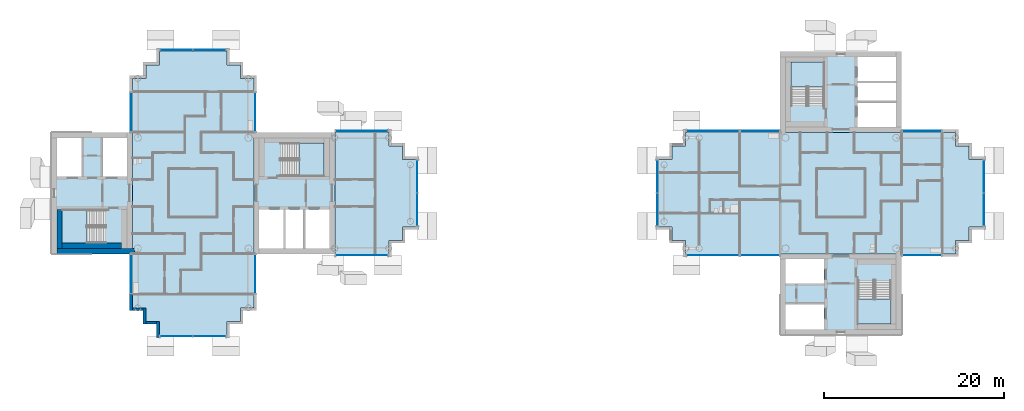
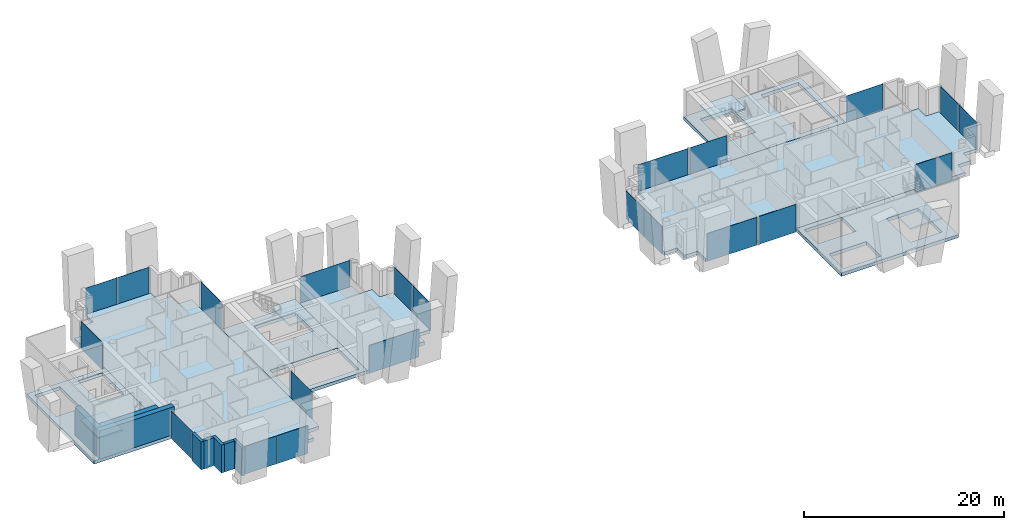
# One storey, part 5 of 18: 22 plates, 11 slabs, 8 walls, 21 elements without a shape of their own.
"""IFC4 building model written with IfcOpenShell, lengths in metres."""

from ifc_helpers import new_model, si_unit, direction, frame, frame_2d, origin, origin_2d, place, context, subcontext, project, spatial, polyline, rectangle, outline, extrude, material, layer, layer_set, type_object, element, aggregate, save


model = new_model("IFC4")

# Units and contexts
model_context = context("Model", 3, precision=1e-05, world=origin(), true_north=direction((0.0, 1.0)))
body_context = subcontext(model_context, "Body", "Model", "MODEL_VIEW")
ifc_project = project(units=[si_unit("LENGTHUNIT", "METRE"), si_unit("AREAUNIT", "SQUARE_METRE"), si_unit("VOLUMEUNIT", "CUBIC_METRE"), si_unit("PLANEANGLEUNIT", "RADIAN"), si_unit("MASSUNIT", "GRAM", prefix="KILO")], contexts=[model_context])

# Site, building, storey
site_placement = place(None, origin())
site = spatial("IfcSite", under=ifc_project, at=site_placement, CompositionType="ELEMENT")
building_placement = place(site_placement, origin())
building = spatial("IfcBuilding", under=site, at=building_placement, Name="Ipe Terrace Towers", CompositionType="ELEMENT")
storey_placement = place(building_placement, frame((0.0, 0.0, 216.39990234375)))
storey = spatial("IfcBuildingStorey", under=building, at=storey_placement, Name="L60", CompositionType="ELEMENT", Elevation=216.39990234375)

# Slabs
ifc_material_1 = material(Name="Concrete C30/37", Category="concrete")
ifc_layer_1 = layer(ifc_material_1, 0.39990234375)
ifc_layer_set_1 = layer_set([ifc_layer_1], Name="CORE FLOOR SLAB 400 C30-37")
slab_type_1 = type_object("IfcSlabType", Name="CORE FLOOR SLAB 400 C30-37", PredefinedType="FLOOR", material=ifc_layer_set_1)
slab_1_placement = place(storey_placement, frame((0.0, 0.0, -0.39990234375)))
element("IfcSlab", 1, at=slab_1_placement, inside=storey, type_object=slab_type_1, Name="Core floor T1-C1", PredefinedType="FLOOR", context=body_context, shape_type="SweptSolid", body=[
    extrude(outline(polyline([(-29.25, -6.75), (-29.25, 6.75), (-20.25, 6.75), (-20.25, -6.75), (-29.25, -6.75)]), holes=[polyline([(-28.64990234375, -6.14990234375), (-20.85009765625, -6.14990234375), (-20.85009765625, -1.85009765625), (-28.64990234375, -1.85009765625), (-28.64990234375, -6.14990234375)]), polyline([(-26.199951171875, 5.550048828125), (-26.199951171875, 1.89990234375), (-21.449951171875, 1.89990234375), (-21.449951171875, 5.550048828125), (-26.199951171875, 5.550048828125)])]), origin(), (0.0, 0.0, 1.0), 0.39990234375),
])
slab_2_placement = place(storey_placement, frame((0.0, 0.0, -0.39990234375)))
element("IfcSlab", 2, at=slab_2_placement, inside=storey, type_object=slab_type_1, Name="Core floor T1-C2", PredefinedType="FLOOR", context=body_context, shape_type="SweptSolid", body=[
    extrude(outline(polyline([(-51.75, -6.75), (-51.75, 6.75), (-42.75, 6.75), (-42.75, -6.75), (-51.75, -6.75)]), holes=[polyline([(-45.800048828125, -1.89990234375), (-50.550048828125, -1.89990234375), (-50.550048828125, -5.550048828125), (-45.800048828125, -5.550048828125), (-45.800048828125, -1.89990234375)]), polyline([(-48.25, 1.85009765625), (-48.25, 6.14990234375), (-51.14990234375, 6.14990234375), (-51.14990234375, 1.85009765625), (-48.25, 1.85009765625)]), polyline([(-43.35009765625, 1.85009765625), (-43.35009765625, 6.14990234375), (-46.14990234375, 6.14990234375), (-46.14990234375, 1.85009765625), (-43.35009765625, 1.85009765625)])]), origin(), (0.0, 0.0, 1.0), 0.39990234375),
])
slab_3_placement = place(storey_placement, frame((0.0, 0.0, -0.39990234375)))
element("IfcSlab", 3, at=slab_3_placement, inside=storey, type_object=slab_type_1, Name="Core floor T2-C1", PredefinedType="FLOOR", context=body_context, shape_type="SweptSolid", body=[
    extrude(outline(polyline([(29.25, 6.75), (29.25, 15.75), (42.75, 15.75), (42.75, 6.75), (29.25, 6.75)]), holes=[polyline([(42.14990234375, 7.35009765625), (42.14990234375, 15.14990234375), (37.85009765625, 15.14990234375), (37.85009765625, 7.35009765625), (42.14990234375, 7.35009765625)]), polyline([(30.449951171875, 9.800048828125), (34.10009765625, 9.800048828125), (34.10009765625, 14.550048828125), (30.449951171875, 14.550048828125), (30.449951171875, 9.800048828125)])]), origin(), (0.0, 0.0, 1.0), 0.39990234375),
])
slab_4_placement = place(storey_placement, frame((0.0, 0.0, -0.39990234375)))
element("IfcSlab", 4, at=slab_4_placement, inside=storey, type_object=slab_type_1, Name="Core floor T2-C2", PredefinedType="FLOOR", context=body_context, shape_type="SweptSolid", body=[
    extrude(outline(polyline([(29.25, -15.75), (29.25, -6.75), (42.75, -6.75), (42.75, -15.75), (29.25, -15.75)]), holes=[polyline([(29.85009765625, -12.25), (29.85009765625, -15.14990234375), (34.14990234375, -15.14990234375), (34.14990234375, -12.25), (29.85009765625, -12.25)]), polyline([(41.550048828125, -9.800048828125), (37.89990234375, -9.800048828125), (37.89990234375, -14.550048828125), (41.550048828125, -14.550048828125), (41.550048828125, -9.800048828125)]), polyline([(34.14990234375, -7.35009765625), (29.85009765625, -7.35009765625), (29.85009765625, -10.14990234375), (34.14990234375, -10.14990234375), (34.14990234375, -7.35009765625)])]), origin(), (0.0, 0.0, 1.0), 0.39990234375),
])

# Stair, slab
ifc_material_2 = material(Name="Concrete C30/37", Category="concrete")
stair_type = type_object("IfcStairType", Name="Protected exit stair", PredefinedType="HALF_TURN_STAIR", material=ifc_material_2)
stair_1_placement = place(storey_placement, origin())
stair_1 = element("IfcStair", 5, at=stair_1_placement, inside=storey, type_object=stair_type, Name="L60 Exit stair T1-C1", PredefinedType="HALF_TURN_STAIR")
ifc_material_3 = material(Name="Concrete C30/37", Category="concrete")
ifc_layer_2 = layer(ifc_material_3, 0.199951171875)
ifc_layer_set_2 = layer_set([ifc_layer_2], Name="Exit stair landing 200")
slab_type_2 = type_object("IfcSlabType", Name="Exit stair landing 200", PredefinedType="LANDING", material=ifc_layer_set_2)
slab_5_placement = place(storey_placement, frame((0.0, 0.0, 1.5)))
slab_5 = element("IfcSlab", 6, at=slab_5_placement, type_object=slab_type_2, Name="T1-ST1 landing 1", PredefinedType="LANDING", context=body_context, shape_type="SweptSolid", body=[
    extrude(outline(polyline([(-24.219970703125, 1.89990234375), (-21.449951171875, 1.89990234375), (-21.449951171875, 5.550048828125), (-24.219970703125, 5.550048828125), (-24.219970703125, 1.89990234375)])), origin(), (0.0, 0.0, 1.0), 0.2001953125),
])
aggregate(stair_1, [slab_5])

stair_2_placement = place(storey_placement, origin())
stair_2 = element("IfcStair", 7, at=stair_2_placement, inside=storey, type_object=stair_type, Name="L60 Exit stair T1-C2", PredefinedType="HALF_TURN_STAIR")
slab_6_placement = place(storey_placement, frame((0.0, 0.0, 1.5)))
slab_6 = element("IfcSlab", 8, at=slab_6_placement, type_object=slab_type_2, Name="T1-ST2 landing 1", PredefinedType="LANDING", context=body_context, shape_type="SweptSolid", body=[
    extrude(outline(polyline([(-47.780029296875, -1.89990234375), (-50.550048828125, -1.89990234375), (-50.550048828125, -5.550048828125), (-47.780029296875, -5.550048828125), (-47.780029296875, -1.89990234375)])), origin(), (0.0, 0.0, 1.0), 0.2001953125),
])
aggregate(stair_2, [slab_6])

stair_3_placement = place(storey_placement, origin())
stair_3 = element("IfcStair", 9, at=stair_3_placement, inside=storey, type_object=stair_type, Name="L60 Exit stair T2-C1", PredefinedType="HALF_TURN_STAIR")
slab_7_placement = place(storey_placement, frame((0.0, 0.0, 1.5)))
slab_7 = element("IfcSlab", 10, at=slab_7_placement, type_object=slab_type_2, Name="T2-ST1 landing 1", PredefinedType="LANDING", context=body_context, shape_type="SweptSolid", body=[
    extrude(outline(polyline([(34.10009765625, 11.780029296875), (34.10009765625, 14.550048828125), (30.449951171875, 14.550048828125), (30.449951171875, 11.780029296875), (34.10009765625, 11.780029296875)])), origin(), (0.0, 0.0, 1.0), 0.2001953125),
])
aggregate(stair_3, [slab_7])

stair_4_placement = place(storey_placement, origin())
stair_4 = element("IfcStair", 11, at=stair_4_placement, inside=storey, type_object=stair_type, Name="L60 Exit stair T2-C2", PredefinedType="HALF_TURN_STAIR")
slab_8_placement = place(storey_placement, frame((0.0, 0.0, 1.5)))
slab_8 = element("IfcSlab", 12, at=slab_8_placement, type_object=slab_type_2, Name="T2-ST2 landing 1", PredefinedType="LANDING", context=body_context, shape_type="SweptSolid", body=[
    extrude(outline(polyline([(37.89990234375, -11.780029296875), (37.89990234375, -14.550048828125), (41.550048828125, -14.550048828125), (41.550048828125, -11.780029296875), (37.89990234375, -11.780029296875)])), origin(), (0.0, 0.0, 1.0), 0.2001953125),
])
aggregate(stair_4, [slab_8])

# Slabs
ifc_material_4 = material(Name="Concrete C40/50", Category="concrete")
ifc_layer_3 = layer(ifc_material_4, 0.39990234375)
ifc_layer_set_3 = layer_set([ifc_layer_3], Name="FLAT PLATE SLAB 400 C40-50")
slab_type_3 = type_object("IfcSlabType", Name="FLAT PLATE SLAB 400 C40-50", PredefinedType="FLOOR", material=ifc_layer_set_3)
slab_9_placement = place(storey_placement, frame((0.0, 0.0, -0.39990234375)))
element("IfcSlab", 13, at=slab_9_placement, inside=storey, type_object=slab_type_3, Name="Slab T1-FS-Z41", PredefinedType="FLOOR", context=body_context, shape_type="SweptSolid", body=[
    extrude(outline(polyline([(-30.75, -12.75), (-30.75, -14.25), (-32.25, -14.25), (-32.25, -15.75), (-39.75, -15.75), (-39.75, -14.25), (-41.25, -14.25), (-41.25, -12.75), (-42.75, -12.75), (-42.75, -6.75), (-42.75, 6.75), (-42.75, 12.75), (-41.25, 12.75), (-41.25, 14.25), (-39.75, 14.25), (-39.75, 15.75), (-32.25, 15.75), (-32.25, 14.25), (-30.75, 14.25), (-30.75, 12.75), (-29.25, 12.75), (-29.25, 6.75), (-29.25, -6.75), (-29.25, -12.75), (-30.75, -12.75)])), origin(), (0.0, 0.0, 1.0), 0.39990234375),
])
slab_10_placement = place(storey_placement, frame((0.0, 0.0, -0.39990234375)))
element("IfcSlab", 14, at=slab_10_placement, inside=storey, type_object=slab_type_3, Name="Slab T1-FS-Z42", PredefinedType="FLOOR", context=body_context, shape_type="SweptSolid", body=[
    extrude(outline(polyline([(-14.25, 5.25), (-12.75, 5.25), (-12.75, 3.75), (-11.25, 3.75), (-11.25, -3.75), (-12.75, -3.75), (-12.75, -5.25), (-14.25, -5.25), (-14.25, -6.75), (-20.25, -6.75), (-20.25, 6.75), (-14.25, 6.75), (-14.25, 5.25)])), origin(), (0.0, 0.0, 1.0), 0.39990234375),
])
slab_11_placement = place(storey_placement, frame((0.0, 0.0, -0.39990234375)))
element("IfcSlab", 15, at=slab_11_placement, inside=storey, type_object=slab_type_3, Name="Slab T2-FS-Z41", PredefinedType="FLOOR", context=body_context, shape_type="SweptSolid", body=[
    extrude(outline(polyline([(48.75, 5.25), (50.25, 5.25), (50.25, 3.75), (51.75, 3.75), (51.75, -3.75), (50.25, -3.75), (50.25, -5.25), (48.75, -5.25), (48.75, -6.75), (42.75, -6.75), (29.25, -6.75), (18.75, -6.75), (18.75, -5.25), (17.25, -5.25), (17.25, -3.75), (15.75, -3.75), (15.75, 3.75), (17.25, 3.75), (17.25, 5.25), (18.75, 5.25), (18.75, 6.75), (29.25, 6.75), (42.75, 6.75), (48.75, 6.75), (48.75, 5.25)])), origin(), (0.0, 0.0, 1.0), 0.39990234375),
])

# Curtain wall, plate
ifc_material_5 = material(Name="Aluminium alloy 6063-T6", Category="aluminium")
ifc_layer_4 = layer(ifc_material_5, 0.320068359375)
ifc_layer_set_4 = layer_set([ifc_layer_4], Name="TOWER UNITISED CURTAIN WALL")
curtain_wall_type = type_object("IfcCurtainWallType", Name="TOWER UNITISED CURTAIN WALL", PredefinedType="NOTDEFINED", material=ifc_layer_set_4)
curtain_wall_1_placement = place(storey_placement, origin())
curtain_wall_1 = element("IfcCurtainWall", 16, at=curtain_wall_1_placement, inside=storey, type_object=curtain_wall_type, Name="T1-CW-L60-02a curtain wall", PredefinedType="NOTDEFINED")
ifc_material_6 = material(Name="Glass, clear laminated", Category="glass")
ifc_layer_5 = layer(ifc_material_6, 0.031982421875)
ifc_layer_set_5 = layer_set([ifc_layer_5], Name="TOWER UNITISED GLASS PANEL 32")
plate_type = type_object("IfcPlateType", Name="TOWER UNITISED GLASS PANEL 32", PredefinedType="CURTAIN_PANEL", material=ifc_layer_set_5)
plate_1_placement = place(storey_placement, frame((-42.909912109375, -9.0, -0.2998046875), z_axis=(0.0, 0.0, 1.0), x_axis=(0.0, -1.0, 0.0)))
plate_1 = element("IfcPlate", 17, at=plate_1_placement, type_object=plate_type, Name="T1-CW-L60-02a panel 1", PredefinedType="CURTAIN_PANEL", context=body_context, shape_type="SweptSolid", body=[
    extrude(rectangle(XDim=4.260009765625, YDim=0.031982421875, at=origin_2d()), origin(), (0.0, 0.0, 1.0), 3.39990234375),
])
aggregate(curtain_wall_1, [plate_1])

# Curtain wall, plates
curtain_wall_2_placement = place(storey_placement, origin())
curtain_wall_2 = element("IfcCurtainWall", 18, at=curtain_wall_2_placement, inside=storey, type_object=curtain_wall_type, Name="T1-CW-L60-08a curtain wall", PredefinedType="NOTDEFINED")
plate_2_placement = place(storey_placement, frame((-37.831298828125, -15.909912109375, -0.2998046875), z_axis=(0.0, 0.0, 1.0), x_axis=(1.0, 0.0, 0.0)))
plate_2 = element("IfcPlate", 19, at=plate_2_placement, type_object=plate_type, Name="T1-CW-L60-08a panel 1", PredefinedType="CURTAIN_PANEL", context=body_context, shape_type="SweptSolid", body=[
    extrude(rectangle(XDim=3.597412109375, YDim=0.031982421875, at=origin_2d()), origin(), (0.0, 0.0, 1.0), 3.39990234375),
])
plate_3_placement = place(storey_placement, frame((-34.168701171875, -15.909912109375, -0.2998046875), z_axis=(0.0, 0.0, 1.0), x_axis=(1.0, 0.0, 0.0)))
plate_3 = element("IfcPlate", 20, at=plate_3_placement, type_object=plate_type, Name="T1-CW-L60-08a panel 2", PredefinedType="CURTAIN_PANEL", context=body_context, shape_type="SweptSolid", body=[
    extrude(rectangle(XDim=3.597412109375, YDim=0.031982421875, at=origin_2d()), origin(), (0.0, 0.0, 1.0), 3.39990234375),
])
aggregate(curtain_wall_2, [plate_2, plate_3])

# Curtain wall, plate
curtain_wall_3_placement = place(storey_placement, origin())
curtain_wall_3 = element("IfcCurtainWall", 21, at=curtain_wall_3_placement, inside=storey, type_object=curtain_wall_type, Name="T1-CW-L60-14a curtain wall", PredefinedType="NOTDEFINED")
plate_4_placement = place(storey_placement, frame((-29.090087890625, -9.0, -0.2998046875), z_axis=(0.0, 0.0, 1.0), x_axis=(0.0, 1.0, 0.0)))
plate_4 = element("IfcPlate", 22, at=plate_4_placement, type_object=plate_type, Name="T1-CW-L60-14a panel 1", PredefinedType="CURTAIN_PANEL", context=body_context, shape_type="SweptSolid", body=[
    extrude(rectangle(XDim=4.260009765625, YDim=0.031982421875, at=origin_2d()), origin(), (0.0, 0.0, 1.0), 3.39990234375),
])
aggregate(curtain_wall_3, [plate_4])

curtain_wall_4_placement = place(storey_placement, origin())
curtain_wall_4 = element("IfcCurtainWall", 23, at=curtain_wall_4_placement, inside=storey, type_object=curtain_wall_type, Name="T1-CW-L60-16b curtain wall", PredefinedType="NOTDEFINED")
plate_5_placement = place(storey_placement, frame((-17.24951171875, -6.909912109375, -0.2998046875), z_axis=(0.0, 0.0, 1.0), x_axis=(1.0, 0.0, 0.0)))
plate_5 = element("IfcPlate", 24, at=plate_5_placement, type_object=plate_type, Name="T1-CW-L60-16b panel 1", PredefinedType="CURTAIN_PANEL", context=body_context, shape_type="SweptSolid", body=[
    extrude(rectangle(XDim=5.759033203125, YDim=0.031982421875, at=origin_2d()), origin(), (0.0, 0.0, 1.0), 3.39990234375),
])
aggregate(curtain_wall_4, [plate_5])

# Curtain wall, plates
curtain_wall_5_placement = place(storey_placement, origin())
curtain_wall_5 = element("IfcCurtainWall", 25, at=curtain_wall_5_placement, inside=storey, type_object=curtain_wall_type, Name="T1-CW-L60-21a curtain wall", PredefinedType="NOTDEFINED")
plate_6_placement = place(storey_placement, frame((-11.090087890625, -1.831298828125, -0.2998046875), z_axis=(0.0, 0.0, 1.0), x_axis=(0.0, 1.0, 0.0)))
plate_6 = element("IfcPlate", 26, at=plate_6_placement, type_object=plate_type, Name="T1-CW-L60-21a panel 1", PredefinedType="CURTAIN_PANEL", context=body_context, shape_type="SweptSolid", body=[
    extrude(rectangle(XDim=3.597412109375, YDim=0.031982421875, at=origin_2d()), origin(), (0.0, 0.0, 1.0), 3.39990234375),
])
plate_7_placement = place(storey_placement, frame((-11.090087890625, 1.831298828125, -0.2998046875), z_axis=(0.0, 0.0, 1.0), x_axis=(0.0, 1.0, 0.0)))
plate_7 = element("IfcPlate", 27, at=plate_7_placement, type_object=plate_type, Name="T1-CW-L60-21a panel 2", PredefinedType="CURTAIN_PANEL", context=body_context, shape_type="SweptSolid", body=[
    extrude(rectangle(XDim=3.597412109375, YDim=0.031982421875, at=origin_2d()), origin(), (0.0, 0.0, 1.0), 3.39990234375),
])
aggregate(curtain_wall_5, [plate_6, plate_7])

# Curtain wall, plate
curtain_wall_6_placement = place(storey_placement, origin())
curtain_wall_6 = element("IfcCurtainWall", 28, at=curtain_wall_6_placement, inside=storey, type_object=curtain_wall_type, Name="T1-CW-L60-26a curtain wall", PredefinedType="NOTDEFINED")
plate_8_placement = place(storey_placement, frame((-17.24951171875, 6.909912109375, -0.2998046875), z_axis=(0.0, 0.0, 1.0), x_axis=(-1.0, 0.0, 0.0)))
plate_8 = element("IfcPlate", 29, at=plate_8_placement, type_object=plate_type, Name="T1-CW-L60-26a panel 1", PredefinedType="CURTAIN_PANEL", context=body_context, shape_type="SweptSolid", body=[
    extrude(rectangle(XDim=5.759033203125, YDim=0.031982421875, at=origin_2d()), origin(), (0.0, 0.0, 1.0), 3.39990234375),
])
aggregate(curtain_wall_6, [plate_8])

curtain_wall_7_placement = place(storey_placement, origin())
curtain_wall_7 = element("IfcCurtainWall", 30, at=curtain_wall_7_placement, inside=storey, type_object=curtain_wall_type, Name="T1-CW-L60-28a curtain wall", PredefinedType="NOTDEFINED")
plate_9_placement = place(storey_placement, frame((-29.090087890625, 9.0, -0.2998046875), z_axis=(0.0, 0.0, 1.0), x_axis=(0.0, 1.0, 0.0)))
plate_9 = element("IfcPlate", 31, at=plate_9_placement, type_object=plate_type, Name="T1-CW-L60-28a panel 1", PredefinedType="CURTAIN_PANEL", context=body_context, shape_type="SweptSolid", body=[
    extrude(rectangle(XDim=4.260009765625, YDim=0.031982421875, at=origin_2d()), origin(), (0.0, 0.0, 1.0), 3.39990234375),
])
aggregate(curtain_wall_7, [plate_9])

# Curtain wall, plates
curtain_wall_8_placement = place(storey_placement, origin())
curtain_wall_8 = element("IfcCurtainWall", 32, at=curtain_wall_8_placement, inside=storey, type_object=curtain_wall_type, Name="T1-CW-L60-34a curtain wall", PredefinedType="NOTDEFINED")
plate_10_placement = place(storey_placement, frame((-34.168701171875, 15.909912109375, -0.2998046875), z_axis=(0.0, 0.0, 1.0), x_axis=(-1.0, 0.0, 0.0)))
plate_10 = element("IfcPlate", 33, at=plate_10_placement, type_object=plate_type, Name="T1-CW-L60-34a panel 1", PredefinedType="CURTAIN_PANEL", context=body_context, shape_type="SweptSolid", body=[
    extrude(rectangle(XDim=3.597412109375, YDim=0.031982421875, at=origin_2d()), origin(), (0.0, 0.0, 1.0), 3.39990234375),
])
plate_11_placement = place(storey_placement, frame((-37.831298828125, 15.909912109375, -0.2998046875), z_axis=(0.0, 0.0, 1.0), x_axis=(-1.0, 0.0, 0.0)))
plate_11 = element("IfcPlate", 34, at=plate_11_placement, type_object=plate_type, Name="T1-CW-L60-34a panel 2", PredefinedType="CURTAIN_PANEL", context=body_context, shape_type="SweptSolid", body=[
    extrude(rectangle(XDim=3.597412109375, YDim=0.031982421875, at=origin_2d()), origin(), (0.0, 0.0, 1.0), 3.39990234375),
])
aggregate(curtain_wall_8, [plate_10, plate_11])

# Curtain wall, plate
curtain_wall_9_placement = place(storey_placement, origin())
curtain_wall_9 = element("IfcCurtainWall", 35, at=curtain_wall_9_placement, inside=storey, type_object=curtain_wall_type, Name="T1-CW-L60-40a curtain wall", PredefinedType="NOTDEFINED")
plate_12_placement = place(storey_placement, frame((-42.909912109375, 9.0, -0.2998046875), z_axis=(0.0, 0.0, 1.0), x_axis=(0.0, -1.0, 0.0)))
plate_12 = element("IfcPlate", 36, at=plate_12_placement, type_object=plate_type, Name="T1-CW-L60-40a panel 1", PredefinedType="CURTAIN_PANEL", context=body_context, shape_type="SweptSolid", body=[
    extrude(rectangle(XDim=4.260009765625, YDim=0.031982421875, at=origin_2d()), origin(), (0.0, 0.0, 1.0), 3.39990234375),
])
aggregate(curtain_wall_9, [plate_12])

curtain_wall_10_placement = place(storey_placement, origin())
curtain_wall_10 = element("IfcCurtainWall", 37, at=curtain_wall_10_placement, inside=storey, type_object=curtain_wall_type, Name="T2-CW-L60-02a curtain wall", PredefinedType="NOTDEFINED")
plate_13_placement = place(storey_placement, frame((45.0, -6.909912109375, -0.2998046875), z_axis=(0.0, 0.0, 1.0), x_axis=(1.0, 0.0, 0.0)))
plate_13 = element("IfcPlate", 38, at=plate_13_placement, type_object=plate_type, Name="T2-CW-L60-02a panel 1", PredefinedType="CURTAIN_PANEL", context=body_context, shape_type="SweptSolid", body=[
    extrude(rectangle(XDim=4.260009765625, YDim=0.031982421875, at=origin_2d()), origin(), (0.0, 0.0, 1.0), 3.39990234375),
])
aggregate(curtain_wall_10, [plate_13])

# Curtain wall, plates
curtain_wall_11_placement = place(storey_placement, origin())
curtain_wall_11 = element("IfcCurtainWall", 39, at=curtain_wall_11_placement, inside=storey, type_object=curtain_wall_type, Name="T2-CW-L60-08a curtain wall", PredefinedType="NOTDEFINED")
plate_14_placement = place(storey_placement, frame((51.909912109375, -1.831298828125, -0.2998046875), z_axis=(0.0, 0.0, 1.0), x_axis=(0.0, 1.0, 0.0)))
plate_14 = element("IfcPlate", 40, at=plate_14_placement, type_object=plate_type, Name="T2-CW-L60-08a panel 1", PredefinedType="CURTAIN_PANEL", context=body_context, shape_type="SweptSolid", body=[
    extrude(rectangle(XDim=3.597412109375, YDim=0.031982421875, at=origin_2d()), origin(), (0.0, 0.0, 1.0), 3.39990234375),
])
plate_15_placement = place(storey_placement, frame((51.909912109375, 1.831298828125, -0.2998046875), z_axis=(0.0, 0.0, 1.0), x_axis=(0.0, 1.0, 0.0)))
plate_15 = element("IfcPlate", 41, at=plate_15_placement, type_object=plate_type, Name="T2-CW-L60-08a panel 2", PredefinedType="CURTAIN_PANEL", context=body_context, shape_type="SweptSolid", body=[
    extrude(rectangle(XDim=3.597412109375, YDim=0.031982421875, at=origin_2d()), origin(), (0.0, 0.0, 1.0), 3.39990234375),
])
aggregate(curtain_wall_11, [plate_14, plate_15])

# Curtain wall, plate
curtain_wall_12_placement = place(storey_placement, origin())
curtain_wall_12 = element("IfcCurtainWall", 42, at=curtain_wall_12_placement, inside=storey, type_object=curtain_wall_type, Name="T2-CW-L60-14a curtain wall", PredefinedType="NOTDEFINED")
plate_16_placement = place(storey_placement, frame((45.0, 6.909912109375, -0.2998046875), z_axis=(0.0, 0.0, 1.0), x_axis=(-1.0, 0.0, 0.0)))
plate_16 = element("IfcPlate", 43, at=plate_16_placement, type_object=plate_type, Name="T2-CW-L60-14a panel 1", PredefinedType="CURTAIN_PANEL", context=body_context, shape_type="SweptSolid", body=[
    extrude(rectangle(XDim=4.260009765625, YDim=0.031982421875, at=origin_2d()), origin(), (0.0, 0.0, 1.0), 3.39990234375),
])
aggregate(curtain_wall_12, [plate_16])

curtain_wall_13_placement = place(storey_placement, origin())
curtain_wall_13 = element("IfcCurtainWall", 44, at=curtain_wall_13_placement, inside=storey, type_object=curtain_wall_type, Name="T2-CW-L60-20a curtain wall", PredefinedType="NOTDEFINED")
plate_17_placement = place(storey_placement, frame((27.0, 6.909912109375, -0.2998046875), z_axis=(0.0, 0.0, 1.0), x_axis=(-1.0, 0.0, 0.0)))
plate_17 = element("IfcPlate", 45, at=plate_17_placement, type_object=plate_type, Name="T2-CW-L60-20a panel 1", PredefinedType="CURTAIN_PANEL", context=body_context, shape_type="SweptSolid", body=[
    extrude(rectangle(XDim=4.260009765625, YDim=0.031982421875, at=origin_2d()), origin(), (0.0, 0.0, 1.0), 3.39990234375),
])
aggregate(curtain_wall_13, [plate_17])

curtain_wall_14_placement = place(storey_placement, origin())
curtain_wall_14 = element("IfcCurtainWall", 46, at=curtain_wall_14_placement, inside=storey, type_object=curtain_wall_type, Name="T2-CW-L60-21a curtain wall", PredefinedType="NOTDEFINED")
plate_18_placement = place(storey_placement, frame((21.75, 6.909912109375, -0.2998046875), z_axis=(0.0, 0.0, 1.0), x_axis=(-1.0, 0.0, 0.0)))
plate_18 = element("IfcPlate", 47, at=plate_18_placement, type_object=plate_type, Name="T2-CW-L60-21a panel 1", PredefinedType="CURTAIN_PANEL", context=body_context, shape_type="SweptSolid", body=[
    extrude(rectangle(XDim=5.760009765625, YDim=0.031982421875, at=origin_2d()), origin(), (0.0, 0.0, 1.0), 3.39990234375),
])
aggregate(curtain_wall_14, [plate_18])

# Curtain wall, plates
curtain_wall_15_placement = place(storey_placement, origin())
curtain_wall_15 = element("IfcCurtainWall", 48, at=curtain_wall_15_placement, inside=storey, type_object=curtain_wall_type, Name="T2-CW-L60-26a curtain wall", PredefinedType="NOTDEFINED")
plate_19_placement = place(storey_placement, frame((15.590087890625, 1.831298828125, -0.2998046875), z_axis=(0.0, 0.0, 1.0), x_axis=(0.0, -1.0, 0.0)))
plate_19 = element("IfcPlate", 49, at=plate_19_placement, type_object=plate_type, Name="T2-CW-L60-26a panel 1", PredefinedType="CURTAIN_PANEL", context=body_context, shape_type="SweptSolid", body=[
    extrude(rectangle(XDim=3.597412109375, YDim=0.031982421875, at=origin_2d()), origin(), (0.0, 0.0, 1.0), 3.39990234375),
])
plate_20_placement = place(storey_placement, frame((15.590087890625, -1.831298828125, -0.2998046875), z_axis=(0.0, 0.0, 1.0), x_axis=(0.0, -1.0, 0.0)))
plate_20 = element("IfcPlate", 50, at=plate_20_placement, type_object=plate_type, Name="T2-CW-L60-26a panel 2", PredefinedType="CURTAIN_PANEL", context=body_context, shape_type="SweptSolid", body=[
    extrude(rectangle(XDim=3.597412109375, YDim=0.031982421875, at=origin_2d()), origin(), (0.0, 0.0, 1.0), 3.39990234375),
])
aggregate(curtain_wall_15, [plate_19, plate_20])

# Curtain wall, plate
curtain_wall_16_placement = place(storey_placement, origin())
curtain_wall_16 = element("IfcCurtainWall", 51, at=curtain_wall_16_placement, inside=storey, type_object=curtain_wall_type, Name="T2-CW-L60-31a curtain wall", PredefinedType="NOTDEFINED")
plate_21_placement = place(storey_placement, frame((21.75, -6.909912109375, -0.2998046875), z_axis=(0.0, 0.0, 1.0), x_axis=(1.0, 0.0, 0.0)))
plate_21 = element("IfcPlate", 52, at=plate_21_placement, type_object=plate_type, Name="T2-CW-L60-31a panel 1", PredefinedType="CURTAIN_PANEL", context=body_context, shape_type="SweptSolid", body=[
    extrude(rectangle(XDim=5.760009765625, YDim=0.031982421875, at=origin_2d()), origin(), (0.0, 0.0, 1.0), 3.39990234375),
])
aggregate(curtain_wall_16, [plate_21])

curtain_wall_17_placement = place(storey_placement, origin())
curtain_wall_17 = element("IfcCurtainWall", 53, at=curtain_wall_17_placement, inside=storey, type_object=curtain_wall_type, Name="T2-CW-L60-32a curtain wall", PredefinedType="NOTDEFINED")
plate_22_placement = place(storey_placement, frame((27.0, -6.909912109375, -0.2998046875), z_axis=(0.0, 0.0, 1.0), x_axis=(1.0, 0.0, 0.0)))
plate_22 = element("IfcPlate", 54, at=plate_22_placement, type_object=plate_type, Name="T2-CW-L60-32a panel 1", PredefinedType="CURTAIN_PANEL", context=body_context, shape_type="SweptSolid", body=[
    extrude(rectangle(XDim=4.260009765625, YDim=0.031982421875, at=origin_2d()), origin(), (0.0, 0.0, 1.0), 3.39990234375),
])
aggregate(curtain_wall_17, [plate_22])

# Walls
ifc_material_7 = material(Name="Concrete C40/50 with buff precast cladding", Category="concrete")
ifc_layer_6 = layer(ifc_material_7, 0.320068359375)
ifc_layer_set_6 = layer_set([ifc_layer_6], Name="BUFF CLADDING WALL 320")
wall_type_1 = type_object("IfcWallType", Name="BUFF CLADDING WALL 320", PredefinedType="STANDARD", material=ifc_layer_set_6)
wall_1_placement = place(storey_placement, frame((-42.909912109375, -11.25, -0.2998046875), z_axis=(0.0, 0.0, 1.0), x_axis=(0.0, -1.0, 0.0)))
element("IfcWall", 55, at=wall_1_placement, inside=storey, type_object=wall_type_1, Name="T1-W-L60-03a wall", PredefinedType="STANDARD", context=body_context, shape_type="SweptSolid", body=[
    extrude(rectangle(XDim=1.820068359375, YDim=0.320068359375, at=frame_2d((0.91015625, 0.0))), origin(), (0.0, 0.0, 1.0), 3.39990234375),
])
wall_2_placement = place(storey_placement, frame((-42.75, -12.909912109375, -0.2998046875), z_axis=(0.0, 0.0, 1.0), x_axis=(1.0, 0.0, 0.0)))
element("IfcWall", 56, at=wall_2_placement, inside=storey, type_object=wall_type_1, Name="T1-W-L60-04a wall", PredefinedType="STANDARD", context=body_context, shape_type="SweptSolid", body=[
    extrude(rectangle(XDim=1.179931640625, YDim=0.320068359375, at=frame_2d((0.58984375, 0.0))), origin(), (0.0, 0.0, 1.0), 3.39990234375),
])
wall_3_placement = place(storey_placement, frame((-41.409912109375, -12.75, -0.2998046875), z_axis=(0.0, 0.0, 1.0), x_axis=(0.0, -1.0, 0.0)))
element("IfcWall", 57, at=wall_3_placement, inside=storey, type_object=wall_type_1, Name="T1-W-L60-05a wall", PredefinedType="STANDARD", context=body_context, shape_type="SweptSolid", body=[
    extrude(rectangle(XDim=1.820068359375, YDim=0.320068359375, at=frame_2d((0.91015625, 0.0))), origin(), (0.0, 0.0, 1.0), 3.39990234375),
])
wall_4_placement = place(storey_placement, frame((-41.25, -14.409912109375, -0.2998046875), z_axis=(0.0, 0.0, 1.0), x_axis=(1.0, 0.0, 0.0)))
element("IfcWall", 58, at=wall_4_placement, inside=storey, type_object=wall_type_1, Name="T1-W-L60-06a wall", PredefinedType="STANDARD", context=body_context, shape_type="SweptSolid", body=[
    extrude(rectangle(XDim=1.179931640625, YDim=0.320068359375, at=frame_2d((0.58984375, 0.0))), origin(), (0.0, 0.0, 1.0), 3.39990234375),
])
wall_5_placement = place(storey_placement, frame((-39.909912109375, -14.25, -0.2998046875), z_axis=(0.0, 0.0, 1.0), x_axis=(0.0, -1.0, 0.0)))
element("IfcWall", 59, at=wall_5_placement, inside=storey, type_object=wall_type_1, Name="T1-W-L60-07a wall", PredefinedType="STANDARD", context=body_context, shape_type="SweptSolid", body=[
    extrude(rectangle(XDim=1.820068359375, YDim=0.320068359375, at=frame_2d((0.91015625, 0.0))), origin(), (0.0, 0.0, 1.0), 3.39990234375),
])
ifc_material_8 = material(Name="Concrete C40/50", Category="concrete")
ifc_layer_7 = layer(ifc_material_8, 0.60009765625)
ifc_layer_set_7 = layer_set([ifc_layer_7], Name="RW600 CORE INFILL WALL 600 C40-50")
wall_type_2 = type_object("IfcWallType", Name="RW600 CORE INFILL WALL 600 C40-50", PredefinedType="SHEAR", material=ifc_layer_set_7)
wall_6_placement = place(storey_placement, frame((-50.85009765625, -1.85009765625, 0.0), z_axis=(0.0, 0.0, 1.0), x_axis=(0.0, -1.0, 0.0)))
element("IfcWall", 60, at=wall_6_placement, inside=storey, type_object=wall_type_2, Name="Core infill wall T1-C2-far", PredefinedType="SHEAR", context=body_context, shape_type="SweptSolid", body=[
    extrude(rectangle(XDim=4.2998046875, YDim=0.60009765625, at=frame_2d((2.14990234375, 0.0))), origin(), (0.0, 0.0, 1.0), 3.400146484375),
])
wall_7_placement = place(storey_placement, frame((-43.949951171875, -5.85009765625, 0.0), z_axis=(0.0, 0.0, 1.0), x_axis=(-1.0, 0.0, 0.0)))
element("IfcWall", 61, at=wall_7_placement, inside=storey, type_object=wall_type_2, Name="Core infill wall T1-C2-back", PredefinedType="SHEAR", context=body_context, shape_type="SweptSolid", body=[
    extrude(rectangle(XDim=6.60009765625, YDim=0.60009765625, at=frame_2d((3.300048828125, 0.0))), origin(), (0.0, 0.0, 1.0), 3.400146484375),
])
ifc_material_9 = material(Name="Concrete C40/50", Category="concrete")
ifc_layer_8 = layer(ifc_material_9, 0.60009765625)
ifc_layer_set_8 = layer_set([ifc_layer_8], Name="RW600 CORE WALL 600 C40-50")
wall_type_3 = type_object("IfcWallType", Name="RW600 CORE WALL 600 C40-50", PredefinedType="SHEAR", material=ifc_layer_set_8)
wall_8_placement = place(storey_placement, frame((-51.14990234375, -6.449951171875, 0.0), z_axis=(0.0, 0.0, 1.0), x_axis=(1.0, 0.0, 0.0)))
element("IfcWall", 62, at=wall_8_placement, inside=storey, type_object=wall_type_3, Name="Core wall T1-C2-Z4-W01", PredefinedType="SHEAR", context=body_context, shape_type="SweptSolid", body=[
    extrude(rectangle(XDim=8.64794921875, YDim=0.60009765625, at=frame_2d((4.323974609375, 0.0))), origin(), (0.0, 0.0, 1.0), 3.400146484375),
])

save(model, "model.ifc")
